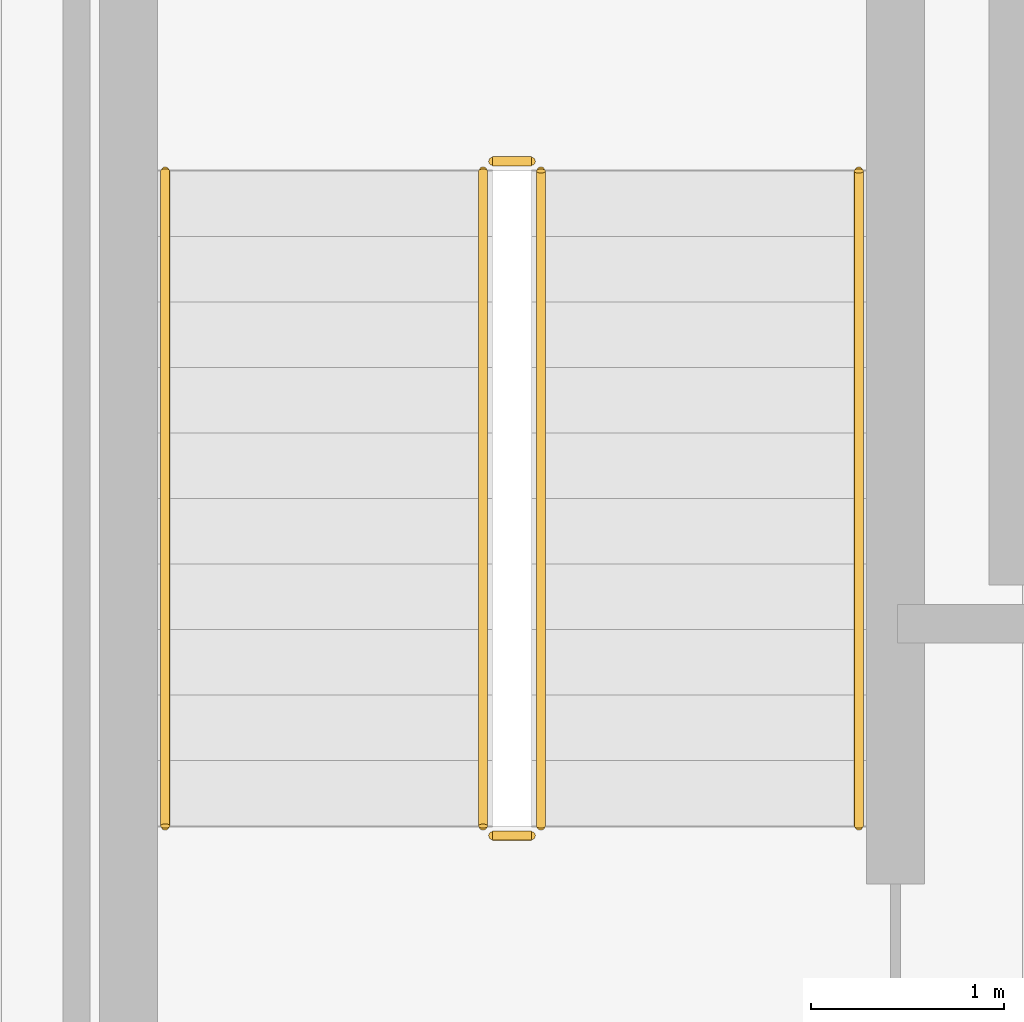
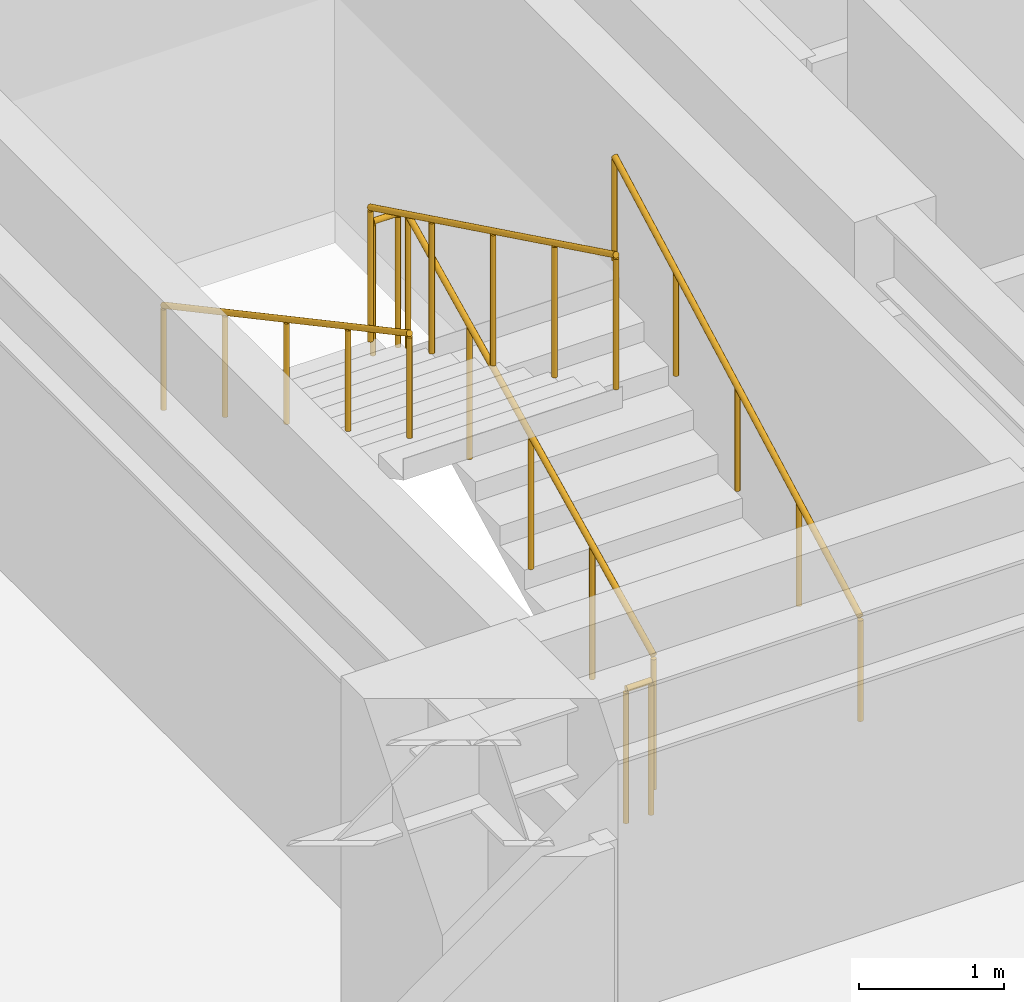
# One storey, part 35 of 36: 6 railings.
"""IFC4 building model written with IfcOpenShell, lengths in metres."""

from ifc_helpers import new_model, si_unit, direction, frame, origin, origin_2d, place, context, subcontext, project, spatial, circle, extrude, material, type_object, element, save


model = new_model("IFC4")

# Units and contexts
model_context = context("Model", 3, precision=1e-05, world=origin(), true_north=direction((0.0, 1.0)))
body_context = subcontext(model_context, "Body", "Model", "MODEL_VIEW")
ifc_project = project(units=[si_unit("LENGTHUNIT", "METRE"), si_unit("AREAUNIT", "SQUARE_METRE"), si_unit("VOLUMEUNIT", "CUBIC_METRE"), si_unit("PLANEANGLEUNIT", "RADIAN"), si_unit("MASSUNIT", "GRAM", prefix="KILO")], contexts=[model_context])

# Site, building, storey
site_placement = place(None, origin())
site = spatial("IfcSite", under=ifc_project, at=site_placement, CompositionType="ELEMENT")
building_placement = place(site_placement, origin())
building = spatial("IfcBuilding", under=site, at=building_placement, Name="Nahalor Promenade Grand Hotel", CompositionType="ELEMENT")
storey_placement = place(building_placement, frame((0.0, 0.0, 76.199951171875)))
storey = spatial("IfcBuildingStorey", under=building, at=storey_placement, Name="L18", CompositionType="ELEMENT", Elevation=76.199951171875)

# Railings
ifc_material = material(Name="Steel S355JR", Category="steel")
railing_type_1 = type_object("IfcRailingType", Name="Steel Stair Guardrail 1150 mm", PredefinedType="GUARDRAIL", material=ifc_material)
railing_1_placement = place(storey_placement, frame((5.75, 8.10009765625, 0.166015625)))
element("IfcRailing", 1, at=railing_1_placement, inside=storey, type_object=railing_type_1, Name="L18 ST1 stair guard 1", PredefinedType="GUARDRAIL", context=body_context, shape_type="SweptSolid", body=[
    extrude(circle(Radius=0.024048, at=origin_2d()), frame((0.0, 0.0, 1.1259765625), z_axis=(0.0, 0.898721922897, 0.438518990814), x_axis=(-1.0, 0.0, 0.0)), (0.0, 0.0, 1.0), 3.782958984375),
    extrude(circle(Radius=0.020996, at=origin_2d()), origin(), (0.0, 0.0, 1.0), 1.099853515625),
    extrude(circle(Radius=0.020996, at=origin_2d()), frame((0.0, 0.85009765625, 0.414794921875)), (0.0, 0.0, 1.0), 1.099853515625),
    extrude(circle(Radius=0.020996, at=origin_2d()), frame((0.0, 1.699951171875, 0.82958984375)), (0.0, 0.0, 1.0), 1.099853515625),
    extrude(circle(Radius=0.020996, at=origin_2d()), frame((0.0, 2.5498046875, 1.244140625)), (0.0, 0.0, 1.0), 1.099853515625),
    extrude(circle(Radius=0.020996, at=origin_2d()), frame((0.0, 3.39990234375, 1.658935546875)), (0.0, 0.0, 1.0), 1.099853515625),
])
railing_2_placement = place(storey_placement, frame((5.699951171875, 11.550048828125, 1.824951171875)))
element("IfcRailing", 2, at=railing_2_placement, inside=storey, type_object=railing_type_1, Name="L18 ST1 stair guard 2", PredefinedType="GUARDRAIL", context=body_context, shape_type="SweptSolid", body=[
    extrude(circle(Radius=0.024048, at=origin_2d()), frame((0.0, 0.0, 1.1259765625), z_axis=(-1.0, 0.0, 0.0), x_axis=(0.0, -1.0, 0.0)), (0.0, 0.0, 1.0), 0.199951171875),
    extrude(circle(Radius=0.020996, at=origin_2d()), origin(), (0.0, 0.0, 1.0), 1.099853515625),
    extrude(circle(Radius=0.020996, at=origin_2d()), frame((-0.199951171875, 0.0, 0.0)), (0.0, 0.0, 1.0), 1.099853515625),
])
railing_3_placement = place(storey_placement, frame((5.449951171875, 11.5, 1.990966796875)))
element("IfcRailing", 3, at=railing_3_placement, inside=storey, type_object=railing_type_1, Name="L18 ST1 stair guard 3", PredefinedType="GUARDRAIL", context=body_context, shape_type="SweptSolid", body=[
    extrude(circle(Radius=0.024048, at=origin_2d()), frame((0.0, 0.0, 1.1259765625), z_axis=(0.0, -0.898696488221, 0.438571114028), x_axis=(1.0, 0.0, 0.0)), (0.0, 0.0, 1.0), 3.783203125),
    extrude(circle(Radius=0.020996, at=origin_2d()), origin(), (0.0, 0.0, 1.0), 1.099853515625),
    extrude(circle(Radius=0.020996, at=origin_2d()), frame((0.0, -0.85009765625, 0.414794921875)), (0.0, 0.0, 1.0), 1.099853515625),
    extrude(circle(Radius=0.020996, at=origin_2d()), frame((0.0, -1.699951171875, 0.82958984375)), (0.0, 0.0, 1.0), 1.099853515625),
    extrude(circle(Radius=0.020996, at=origin_2d()), frame((0.0, -2.5498046875, 1.244384765625)), (0.0, 0.0, 1.0), 1.099853515625),
    extrude(circle(Radius=0.020996, at=origin_2d()), frame((0.0, -3.39990234375, 1.6591796875)), (0.0, 0.0, 1.0), 1.099853515625),
])
railing_4_placement = place(storey_placement, frame((5.699951171875, 8.050048828125, 0.0)))
element("IfcRailing", 4, at=railing_4_placement, inside=storey, type_object=railing_type_1, Name="L18 ST1 stair guard 4", PredefinedType="GUARDRAIL", context=body_context, shape_type="SweptSolid", body=[
    extrude(circle(Radius=0.024048, at=origin_2d()), frame((0.0, 0.0, 1.1259765625), z_axis=(-1.0, 0.0, 0.0), x_axis=(0.0, -1.0, 0.0)), (0.0, 0.0, 1.0), 0.199951171875),
    extrude(circle(Radius=0.020996, at=origin_2d()), origin(), (0.0, 0.0, 1.0), 1.099853515625),
    extrude(circle(Radius=0.020996, at=origin_2d()), frame((-0.199951171875, 0.0, 0.0)), (0.0, 0.0, 1.0), 1.099853515625),
])
railing_type_2 = type_object("IfcRailingType", Name="Steel Stair Handrail 900 mm", PredefinedType="HANDRAIL", material=ifc_material)
railing_5_placement = place(storey_placement, frame((7.39990234375, 8.10009765625, 0.166015625)))
element("IfcRailing", 5, at=railing_5_placement, inside=storey, type_object=railing_type_2, Name="L18 ST1 stair handrail 1", PredefinedType="HANDRAIL", context=body_context, shape_type="SweptSolid", body=[
    extrude(circle(Radius=0.024048, at=origin_2d()), frame((0.0, 0.0, 0.8759765625), z_axis=(0.0, 0.881094038095, 0.47294111265), x_axis=(-1.0, 0.0, 0.0)), (0.0, 0.0, 1.0), 3.858642578125),
    extrude(circle(Radius=0.020996, at=origin_2d()), origin(), (0.0, 0.0, 1.0), 0.849853515625),
    extrude(circle(Radius=0.020996, at=origin_2d()), frame((0.0, 0.85009765625, 0.456298828125)), (0.0, 0.0, 1.0), 0.849853515625),
    extrude(circle(Radius=0.020996, at=origin_2d()), frame((0.0, 1.699951171875, 0.91259765625)), (0.0, 0.0, 1.0), 0.849853515625),
    extrude(circle(Radius=0.020996, at=origin_2d()), frame((0.0, 2.5498046875, 1.36865234375)), (0.0, 0.0, 1.0), 0.849853515625),
    extrude(circle(Radius=0.020996, at=origin_2d()), frame((0.0, 3.39990234375, 1.824951171875)), (0.0, 0.0, 1.0), 0.849853515625),
])
railing_6_placement = place(storey_placement, frame((3.800048828125, 11.5, 1.990966796875)))
element("IfcRailing", 6, at=railing_6_placement, inside=storey, type_object=railing_type_2, Name="L18 ST1 stair handrail 2", PredefinedType="HANDRAIL", context=body_context, shape_type="SweptSolid", body=[
    extrude(circle(Radius=0.024048, at=origin_2d()), frame((0.0, 0.0, 0.8759765625), z_axis=(0.0, -0.881094038095, 0.47294111265), x_axis=(1.0, 0.0, 0.0)), (0.0, 0.0, 1.0), 3.858642578125),
    extrude(circle(Radius=0.020996, at=origin_2d()), origin(), (0.0, 0.0, 1.0), 0.849853515625),
    extrude(circle(Radius=0.020996, at=origin_2d()), frame((0.0, -0.85009765625, 0.456298828125)), (0.0, 0.0, 1.0), 0.849853515625),
    extrude(circle(Radius=0.020996, at=origin_2d()), frame((0.0, -1.699951171875, 0.91259765625)), (0.0, 0.0, 1.0), 0.849853515625),
    extrude(circle(Radius=0.020996, at=origin_2d()), frame((0.0, -2.5498046875, 1.36865234375)), (0.0, 0.0, 1.0), 0.849853515625),
    extrude(circle(Radius=0.020996, at=origin_2d()), frame((0.0, -3.39990234375, 1.824951171875)), (0.0, 0.0, 1.0), 0.849853515625),
])

save(model, "model.ifc")
